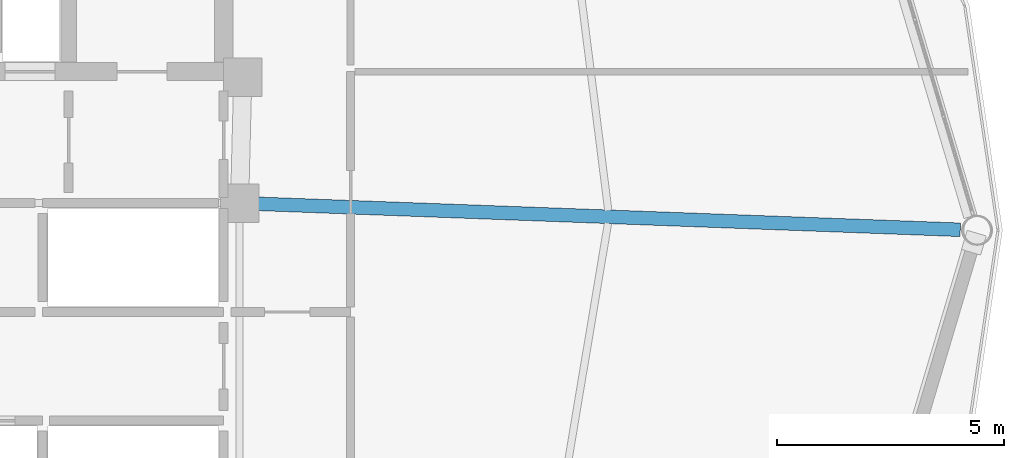
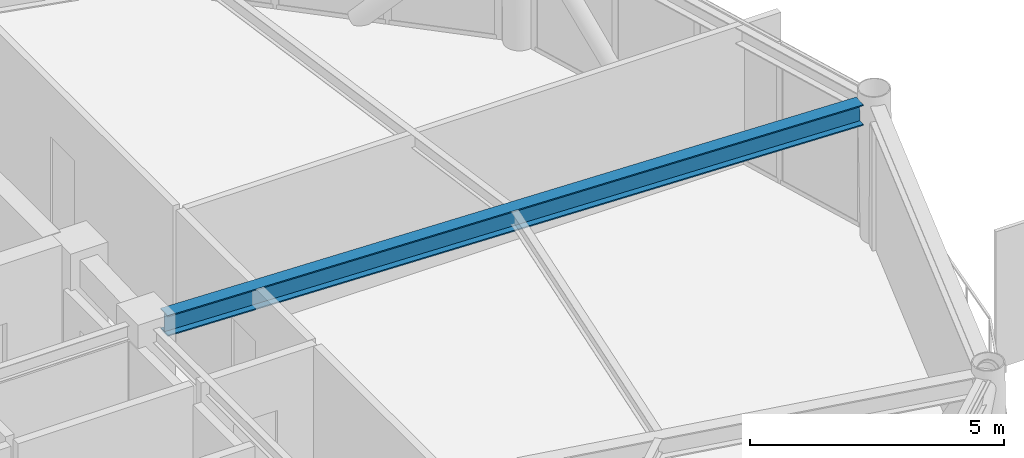
# One storey, part 12 of 25: 1 beam.
"""IFC4 building model written with IfcOpenShell, lengths in metres."""

from ifc_helpers import new_model, si_unit, direction, frame, origin, origin_2d, place, context, subcontext, project, spatial, i_section, extrude, material, material_profile, profile_set, type_object, element, save


model = new_model("IFC4")

# Units and contexts
model_context = context("Model", 3, precision=1e-05, world=origin(), true_north=direction((0.0, 1.0)))
body_context = subcontext(model_context, "Body", "Model", "MODEL_VIEW")
ifc_project = project(units=[si_unit("LENGTHUNIT", "METRE"), si_unit("AREAUNIT", "SQUARE_METRE"), si_unit("VOLUMEUNIT", "CUBIC_METRE"), si_unit("PLANEANGLEUNIT", "RADIAN"), si_unit("MASSUNIT", "GRAM", prefix="KILO")], contexts=[model_context])

# Site, building, storey
site_placement = place(None, origin())
site = spatial("IfcSite", under=ifc_project, at=site_placement, CompositionType="ELEMENT")
building_placement = place(site_placement, origin())
building = spatial("IfcBuilding", under=site, at=building_placement, Name="Varnakorn Sky Granary", CompositionType="ELEMENT")
storey_placement = place(building_placement, frame((0.0, 0.0, 178.800048828125)))
storey = spatial("IfcBuildingStorey", under=building, at=storey_placement, Name="L44", CompositionType="ELEMENT", Elevation=178.800048828125)

# Beam
ifc_material = material(Name="Steel S355JR", Category="steel")
ifc_material_profile = material_profile(ifc_material, i_section(OverallWidth=0.300048828125, OverallDepth=0.5, WebThickness=0.014404296875, FlangeThickness=0.028076171875, at=origin_2d()), Name="HE 500 B")
ifc_profile_set = profile_set([ifc_material_profile], Name="Steel S355JR")
beam_type = type_object("IfcBeamType", Name="BM-RAD-Z4", PredefinedType="BEAM", material=ifc_profile_set)
beam_placement = place(storey_placement, frame((8.754638671875, 0.5849609375, 3.10986328125), z_axis=(0.999316428876, -0.036968567433, 0.0), x_axis=(0.036968567433, 0.999316428876, 0.0)))
element("IfcBeam", 1, at=beam_placement, inside=storey, type_object=beam_type, Name="Radial Floor Girder RG01 L44", PredefinedType="BEAM", context=body_context, shape_type="SweptSolid", body=[
    extrude(i_section(OverallWidth=0.300048828125, OverallDepth=0.5, WebThickness=0.014404296875, FlangeThickness=0.028076171875, at=origin_2d()), origin(), (0.0, 0.0, 1.0), 15.506103515625),
])

save(model, "model.ifc")
